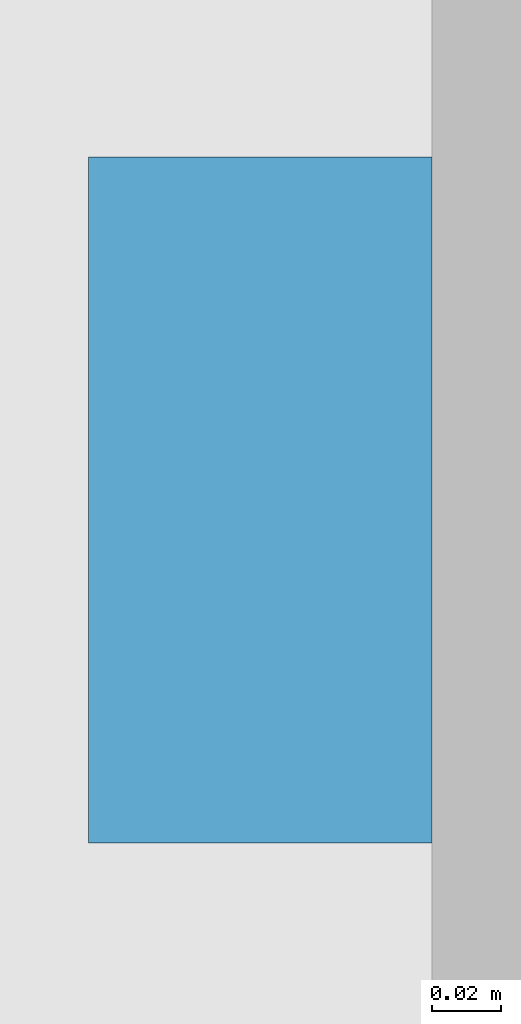
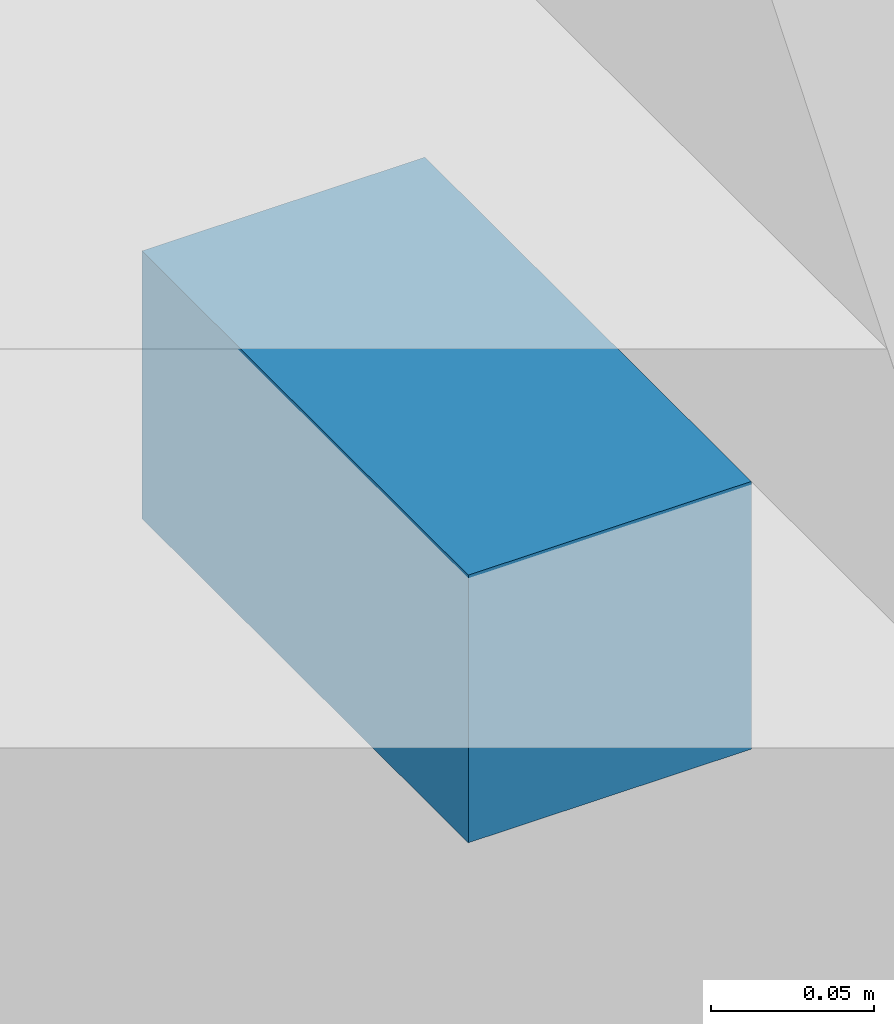
# One storey, part 15 of 16: 1 discrete accessory.
"""IFC4 building model written with IfcOpenShell, lengths in metres."""

from ifc_helpers import new_model, si_unit, direction, frame, origin, origin_2d, place, context, subcontext, project, spatial, rectangle, extrude, element, save


model = new_model("IFC4")

# Units and contexts
model_context = context("Model", 3, precision=1e-05, world=origin(), true_north=direction((0.0, 1.0)))
body_context = subcontext(model_context, "Body", "Model", "MODEL_VIEW")
ifc_project = project(units=[si_unit("LENGTHUNIT", "METRE"), si_unit("AREAUNIT", "SQUARE_METRE"), si_unit("VOLUMEUNIT", "CUBIC_METRE"), si_unit("PLANEANGLEUNIT", "RADIAN"), si_unit("MASSUNIT", "GRAM", prefix="KILO")], contexts=[model_context])

# Site, building, storey
site_placement = place(None, origin())
site = spatial("IfcSite", under=ifc_project, at=site_placement, CompositionType="ELEMENT")
building_placement = place(site_placement, origin())
building = spatial("IfcBuilding", under=site, at=building_placement, Name="Calvaro Tower", CompositionType="ELEMENT")
storey_placement = place(building_placement, frame((0.0, 0.0, 178.0)))
storey = spatial("IfcBuildingStorey", under=building, at=storey_placement, Name="L44", CompositionType="ELEMENT", Elevation=178.0)

# Discrete accessory
discrete_accessory_placement = place(storey_placement, frame((65.5, 3.60009765625, 2.349853515625), z_axis=(0.0, 0.0, 1.0), x_axis=(1.0, 0.0, 0.0)))
element("IfcDiscreteAccessory", 1, at=discrete_accessory_placement, inside=storey, Name="Brise-soleil bracket", PredefinedType="BRACKET", context=body_context, shape_type="SweptSolid", body=[
    extrude(rectangle(XDim=0.10009765625, YDim=0.199951171875, at=origin_2d()), origin(), (0.0, 0.0, 1.0), 0.10009765625),
])

save(model, "model.ifc")
